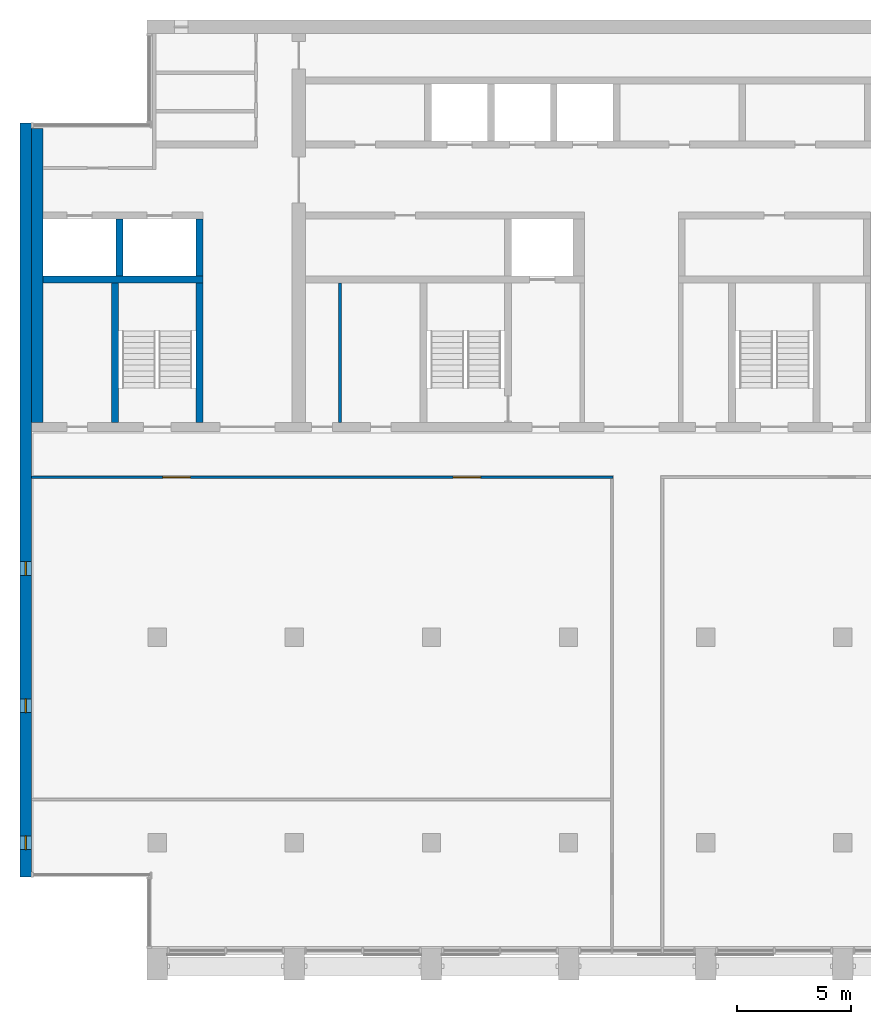
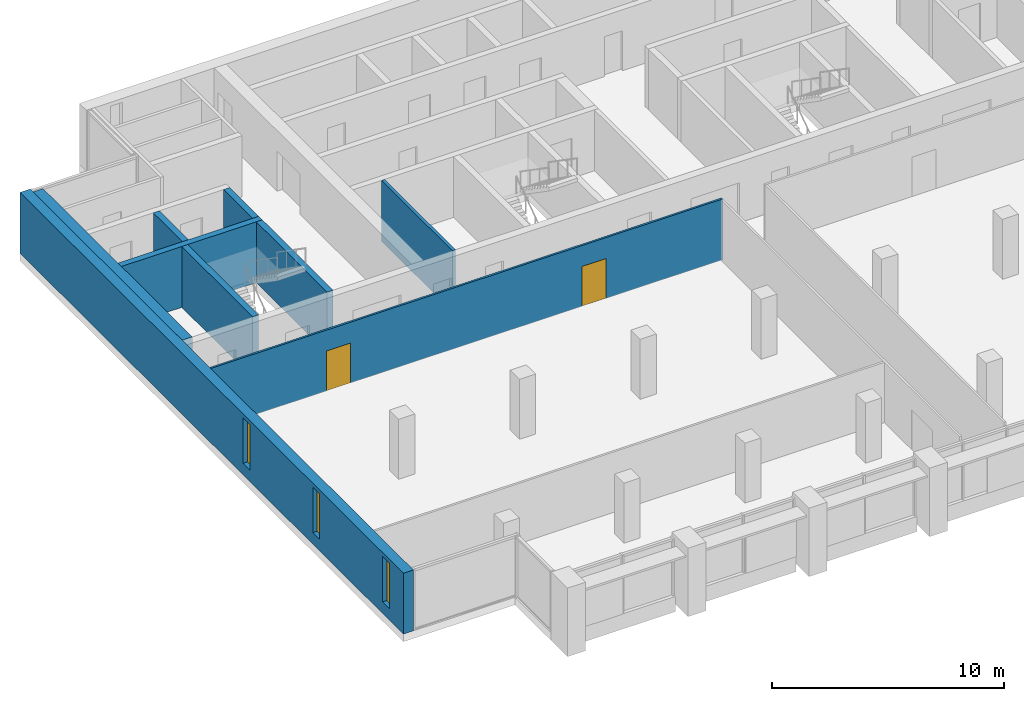
# One storey, part 7 of 14: 9 walls, 3 windows, 2 doors, 5 openings.
"""IFC4 building model written with IfcOpenShell, lengths in metres."""

from ifc_helpers import new_model, si_unit, direction, frame, frame_2d, origin, place, context, subcontext, project, spatial, rectangle, extrude, material, layer, layer_set, type_object, element, fill, save


model = new_model("IFC4")

# Units and contexts
model_context = context("Model", 3, precision=1e-05, world=origin(), true_north=direction((0.0, 1.0)))
body_context = subcontext(model_context, "Body", "Model", "MODEL_VIEW")
ifc_project = project(units=[si_unit("LENGTHUNIT", "METRE"), si_unit("AREAUNIT", "SQUARE_METRE"), si_unit("VOLUMEUNIT", "CUBIC_METRE"), si_unit("PLANEANGLEUNIT", "RADIAN"), si_unit("MASSUNIT", "GRAM", prefix="KILO")], contexts=[model_context])

# Site, building, storey
site_placement = place(None, origin())
site = spatial("IfcSite", under=ifc_project, at=site_placement, CompositionType="ELEMENT")
building_placement = place(site_placement, origin())
building = spatial("IfcBuilding", under=site, at=building_placement, Name="Calvaro Tower", CompositionType="ELEMENT")
storey_placement = place(building_placement, frame((0.0, 0.0, 262.14990234375)))
storey = spatial("IfcBuildingStorey", under=building, at=storey_placement, Name="L66", CompositionType="ELEMENT", Elevation=262.14990234375)

# Walls
ifc_material_1 = material(Name="Blockwork partition", Category="masonry")
ifc_layer_1 = layer(ifc_material_1, 0.14990234375)
ifc_layer_set_1 = layer_set([ifc_layer_1], Name="Blockwork partition")
wall_type_1 = type_object("IfcWallType", Name="Core partition 150 REI 120", PredefinedType="PARTITIONING", material=ifc_layer_set_1)
wall_1_placement = place(storey_placement, frame((20.0, 28.39990234375, 0.0), z_axis=(0.0, 0.0, 1.0), x_axis=(0.0, 1.0, 0.0)))
element("IfcWall", 1, at=wall_1_placement, inside=storey, type_object=wall_type_1, Name="Core partition", PredefinedType="PARTITIONING", context=body_context, shape_type="SweptSolid", body=[
    extrude(rectangle(XDim=6.10009765625, YDim=0.14990234375, at=frame_2d((3.050048828125, 0.0))), origin(), (0.0, 0.0, 1.0), 3.2001953125),
])
ifc_material_2 = material(Name="Concrete C40/50", Category="concrete")
ifc_layer_2 = layer(ifc_material_2, 0.300048828125)
ifc_layer_set_2 = layer_set([ifc_layer_2], Name="Concrete C40/50")
wall_type_2 = type_object("IfcWallType", Name="Core wall C40/50 300", PredefinedType="SHEAR", material=ifc_layer_set_2)
for number, where, z_axis, x_axis, name in (
    (2, (10.14990234375, 28.39990234375, 0.0), (0.0, 0.0, 1.0), (0.0, 1.0, 0.0), "Core wall, stair enclosure"),
    (3, (13.85009765625, 28.39990234375, 0.0), (0.0, 0.0, 1.0), (0.0, 1.0, 0.0), "Core wall, stair enclosure"),
):
    element("IfcWall", number, at=place(storey_placement, frame(where, z_axis=z_axis, x_axis=x_axis)), inside=storey, type_object=wall_type_2, Name=name, PredefinedType="SHEAR", context=body_context, shape_type="SweptSolid", body=[
        extrude(rectangle(XDim=6.10009765625, YDim=0.300048828125, at=frame_2d((3.050048828125, 0.0))), origin(), (0.0, 0.0, 1.0), 3.2001953125),
    ])
wall_2_placement = place(storey_placement, frame((7.0, 34.64990234375, 0.0), z_axis=(0.0, 0.0, 1.0), x_axis=(1.0, 0.0, 0.0)))
element("IfcWall", 4, at=wall_2_placement, inside=storey, type_object=wall_type_2, Name="Core wall, lift shaft", PredefinedType="SHEAR", context=body_context, shape_type="SweptSolid", body=[
    extrude(rectangle(XDim=7.0, YDim=0.300048828125, at=frame_2d((3.5, 0.0))), origin(), (0.0, 0.0, 1.0), 3.2001953125),
])
for number, where, z_axis, x_axis, name in (
    (5, (13.85009765625, 34.800048828125, 0.0), (0.0, 0.0, 1.0), (0.0, 1.0, 0.0), "Core wall, lift shaft"),
    (6, (10.35009765625, 34.800048828125, 0.0), (0.0, 0.0, 1.0), (0.0, 1.0, 0.0), "Core wall, lift shaft"),
):
    element("IfcWall", number, at=place(storey_placement, frame(where, z_axis=z_axis, x_axis=x_axis)), inside=storey, type_object=wall_type_2, Name=name, PredefinedType="SHEAR", context=body_context, shape_type="SweptSolid", body=[
        extrude(rectangle(XDim=2.5, YDim=0.300048828125, at=frame_2d((1.25, 0.0))), origin(), (0.0, 0.0, 1.0), 3.2001953125),
    ])
ifc_material_3 = material(Name="Concrete C40/50", Category="concrete")
ifc_layer_3 = layer(ifc_material_3, 0.5)
ifc_layer_set_3 = layer_set([ifc_layer_3], Name="Concrete C40/50")
wall_type_3 = type_object("IfcWallType", Name="Core wall C40/50 500", PredefinedType="SHEAR", material=ifc_layer_set_3)
wall_3_placement = place(storey_placement, frame((6.75, 28.39990234375, 0.0), z_axis=(0.0, 0.0, 1.0), x_axis=(0.0, 1.0, 0.0)))
element("IfcWall", 7, at=wall_3_placement, inside=storey, type_object=wall_type_3, Name="Core wall, boundary", PredefinedType="SHEAR", context=body_context, shape_type="SweptSolid", body=[
    extrude(rectangle(XDim=12.85009765625, YDim=0.5, at=frame_2d((6.425048828125, 0.0))), origin(), (0.0, 0.0, 1.0), 3.2001953125),
])

# Wall, openings, windows
ifc_material_4 = material(Name="Concrete C40/50", Category="concrete")
ifc_layer_4 = layer(ifc_material_4, 0.5)
ifc_layer_set_4 = layer_set([ifc_layer_4], Name="Concrete C40/50")
wall_type_4 = type_object("IfcWallType", Name="End wall 500 C40/50", PredefinedType="SHEAR", material=ifc_layer_set_4)
wall_4_placement = place(storey_placement, frame((6.25, 8.5, 0.0), z_axis=(0.0, 0.0, 1.0), x_axis=(0.0, 1.0, 0.0)))
wall_4 = element("IfcWall", 8, at=wall_4_placement, inside=storey, type_object=wall_type_4, Name="End shear wall", PredefinedType="SHEAR", context=body_context, shape_type="SweptSolid", body=[
    extrude(rectangle(XDim=33.0, YDim=0.5, at=frame_2d((16.5, 0.0))), origin(), (0.0, 0.0, 1.0), 3.2001953125),
])
opening_1_placement = place(wall_4_placement, frame((1.199951171875, 0.0, 0.60009765625)))
opening_1 = element("IfcOpeningElement", 9, at=opening_1_placement, cuts=wall_4, Name="Opening WW01", PredefinedType="OPENING", context=body_context, shape_type="SweptSolid", body=[
    extrude(rectangle(XDim=0.60009765625, YDim=2.39990234375, at=frame_2d((0.300048828125, 1.199951171875))), frame((0.0, 0.260009765625, 0.0), z_axis=(0.0, -1.0, 0.0), x_axis=(1.0, 0.0, 0.0)), (0.0, 0.0, 1.0), 0.52001953125),
])
opening_2_placement = place(wall_4_placement, frame((7.199951171875, 0.0, 0.60009765625)))
opening_2 = element("IfcOpeningElement", 10, at=opening_2_placement, cuts=wall_4, Name="Opening WW02", PredefinedType="OPENING", context=body_context, shape_type="SweptSolid", body=[
    extrude(rectangle(XDim=0.60009765625, YDim=2.39990234375, at=frame_2d((0.300048828125, 1.199951171875))), frame((0.0, 0.260009765625, 0.0), z_axis=(0.0, -1.0, 0.0), x_axis=(1.0, 0.0, 0.0)), (0.0, 0.0, 1.0), 0.52001953125),
])
opening_3_placement = place(wall_4_placement, frame((13.199951171875, 0.0, 0.60009765625)))
opening_3 = element("IfcOpeningElement", 11, at=opening_3_placement, cuts=wall_4, Name="Opening WW03", PredefinedType="OPENING", context=body_context, shape_type="SweptSolid", body=[
    extrude(rectangle(XDim=0.60009765625, YDim=2.39990234375, at=frame_2d((0.300048828125, 1.199951171875))), frame((0.0, 0.260009765625, 0.0), z_axis=(0.0, -1.0, 0.0), x_axis=(1.0, 0.0, 0.0)), (0.0, 0.0, 1.0), 0.52001953125),
])
ifc_material_5 = material(Name="Glass", Category="glass")
window_type = type_object("IfcWindowType", Name="Slit window 600 x 2400", PartitioningType="SINGLE_PANEL", PredefinedType="WINDOW", material=ifc_material_5)
window_1_placement = place(opening_1_placement, origin())
window_1 = element("IfcWindow", 12, at=window_1_placement, inside=storey, type_object=window_type, Name="Window WW01", OverallHeight=2.39990234375, OverallWidth=0.60009765625, PartitioningType="SINGLE_PANEL", PredefinedType="WINDOW", context=body_context, shape_type="SweptSolid", body=[
    extrude(rectangle(XDim=0.60009765625, YDim=2.39990234375, at=frame_2d((0.300048828125, 1.199951171875))), frame((0.0, 0.030029296875, 0.0), z_axis=(0.0, -1.0, 0.0), x_axis=(1.0, 0.0, 0.0)), (0.0, 0.0, 1.0), 0.06005859375),
])
fill(opening_1, window_1)
window_2_placement = place(opening_2_placement, origin())
window_2 = element("IfcWindow", 13, at=window_2_placement, inside=storey, type_object=window_type, Name="Window WW02", OverallHeight=2.39990234375, OverallWidth=0.60009765625, PartitioningType="SINGLE_PANEL", PredefinedType="WINDOW", context=body_context, shape_type="SweptSolid", body=[
    extrude(rectangle(XDim=0.60009765625, YDim=2.39990234375, at=frame_2d((0.300048828125, 1.199951171875))), frame((0.0, 0.030029296875, 0.0), z_axis=(0.0, -1.0, 0.0), x_axis=(1.0, 0.0, 0.0)), (0.0, 0.0, 1.0), 0.06005859375),
])
fill(opening_2, window_2)
window_3_placement = place(opening_3_placement, origin())
window_3 = element("IfcWindow", 14, at=window_3_placement, inside=storey, type_object=window_type, Name="Window WW03", OverallHeight=2.39990234375, OverallWidth=0.60009765625, PartitioningType="SINGLE_PANEL", PredefinedType="WINDOW", context=body_context, shape_type="SweptSolid", body=[
    extrude(rectangle(XDim=0.60009765625, YDim=2.39990234375, at=frame_2d((0.300048828125, 1.199951171875))), frame((0.0, 0.030029296875, 0.0), z_axis=(0.0, -1.0, 0.0), x_axis=(1.0, 0.0, 0.0)), (0.0, 0.0, 1.0), 0.06005859375),
])
fill(opening_3, window_3)

# Wall, openings, doors
ifc_material_6 = material(Name="Plasterboard on steel studs", Category="steel")
ifc_layer_5 = layer(ifc_material_6, 0.10009765625)
ifc_layer_set_5 = layer_set([ifc_layer_5], Name="Plasterboard on steel studs")
wall_type_5 = type_object("IfcWallType", Name="Partition 100", PredefinedType="PARTITIONING", material=ifc_layer_set_5)
wall_5_placement = place(storey_placement, frame((6.5, 26.0, 0.0), z_axis=(0.0, 0.0, 1.0), x_axis=(1.0, 0.0, 0.0)))
wall_5 = element("IfcWall", 15, at=wall_5_placement, inside=storey, type_object=wall_type_5, Name="Partition T38.W002", PredefinedType="PARTITIONING", context=body_context, shape_type="SweptSolid", body=[
    extrude(rectangle(XDim=25.449951171875, YDim=0.10009765625, at=frame_2d((12.72509765625, 0.0))), origin(), (0.0, 0.0, 1.0), 3.2001953125),
])
opening_4_placement = place(wall_5_placement, frame((5.75, 0.0, 0.0)))
opening_4 = element("IfcOpeningElement", 16, at=opening_4_placement, cuts=wall_5, Name="Opening T38.004", PredefinedType="OPENING", context=body_context, shape_type="SweptSolid", body=[
    extrude(rectangle(XDim=1.199951171875, YDim=2.10009765625, at=frame_2d((0.60009765625, 1.050048828125))), frame((0.0, 0.06005859375, 0.0), z_axis=(0.0, -1.0, 0.0), x_axis=(1.0, 0.0, 0.0)), (0.0, 0.0, 1.0), 0.1201171875),
])
opening_5_placement = place(wall_5_placement, frame((18.449951171875, 0.0, 0.0)))
opening_5 = element("IfcOpeningElement", 17, at=opening_5_placement, cuts=wall_5, Name="Opening T38.005", PredefinedType="OPENING", context=body_context, shape_type="SweptSolid", body=[
    extrude(rectangle(XDim=1.199951171875, YDim=2.10009765625, at=frame_2d((0.60009765625, 1.050048828125))), frame((0.0, 0.06005859375, 0.0), z_axis=(0.0, -1.0, 0.0), x_axis=(1.0, 0.0, 0.0)), (0.0, 0.0, 1.0), 0.1201171875),
])
ifc_material_7 = material(Name="Timber", Category="wood")
door_type = type_object("IfcDoorType", Name="Internal single door 1200 x 2100", OperationType="SINGLE_SWING_LEFT", PredefinedType="DOOR", material=ifc_material_7)
door_1_placement = place(opening_4_placement, origin())
door_1 = element("IfcDoor", 18, at=door_1_placement, inside=storey, type_object=door_type, Name="Door T38.004", OperationType="SINGLE_SWING_LEFT", OverallHeight=2.10009765625, OverallWidth=1.199951171875, PredefinedType="DOOR", context=body_context, shape_type="SweptSolid", body=[
    extrude(rectangle(XDim=1.199951171875, YDim=2.10009765625, at=frame_2d((0.60009765625, 1.050048828125))), frame((0.0, 0.02490234375, 0.0), z_axis=(0.0, -1.0, 0.0), x_axis=(1.0, 0.0, 0.0)), (0.0, 0.0, 1.0), 0.050048828125),
])
fill(opening_4, door_1)
door_2_placement = place(opening_5_placement, origin())
door_2 = element("IfcDoor", 19, at=door_2_placement, inside=storey, type_object=door_type, Name="Door T38.005", OperationType="SINGLE_SWING_RIGHT", OverallHeight=2.10009765625, OverallWidth=1.199951171875, PredefinedType="DOOR", context=body_context, shape_type="SweptSolid", body=[
    extrude(rectangle(XDim=1.199951171875, YDim=2.10009765625, at=frame_2d((0.60009765625, 1.050048828125))), frame((0.0, 0.02490234375, 0.0), z_axis=(0.0, -1.0, 0.0), x_axis=(1.0, 0.0, 0.0)), (0.0, 0.0, 1.0), 0.050048828125),
])
fill(opening_5, door_2)

save(model, "model.ifc")
